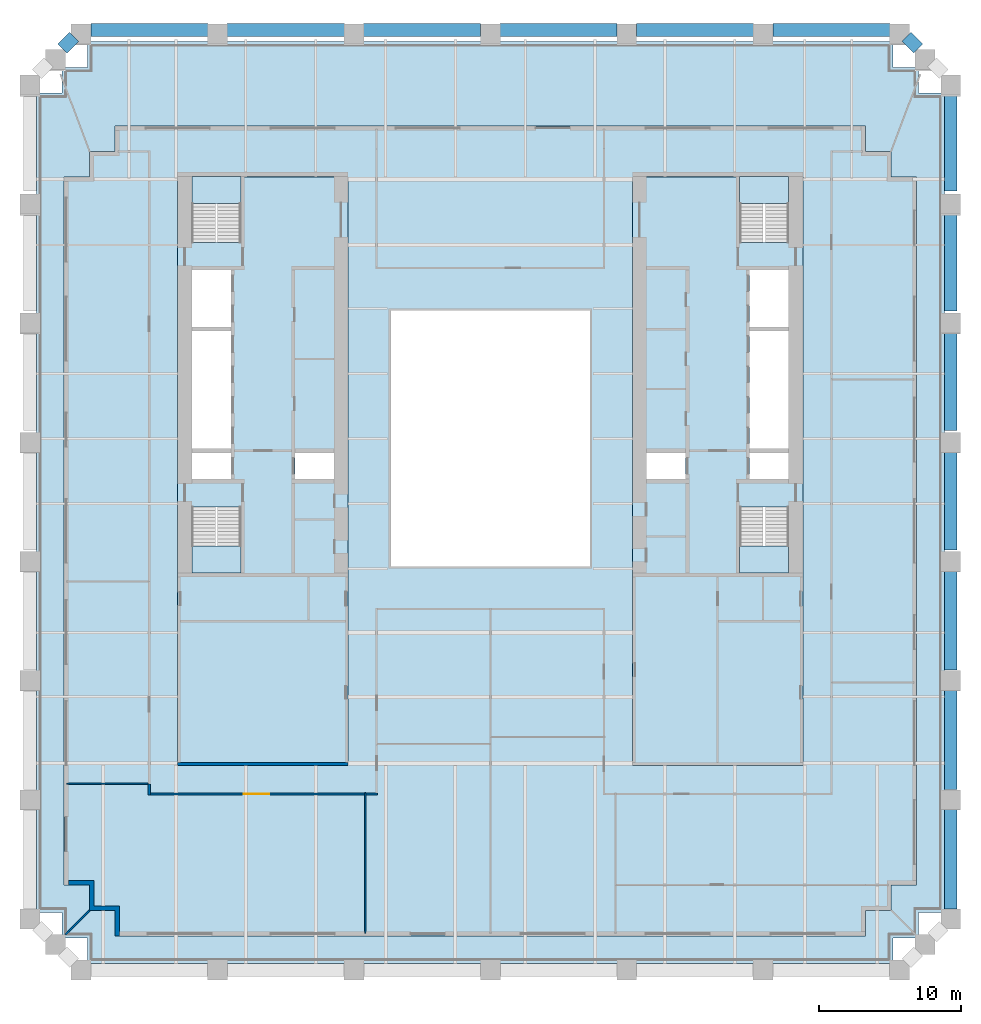
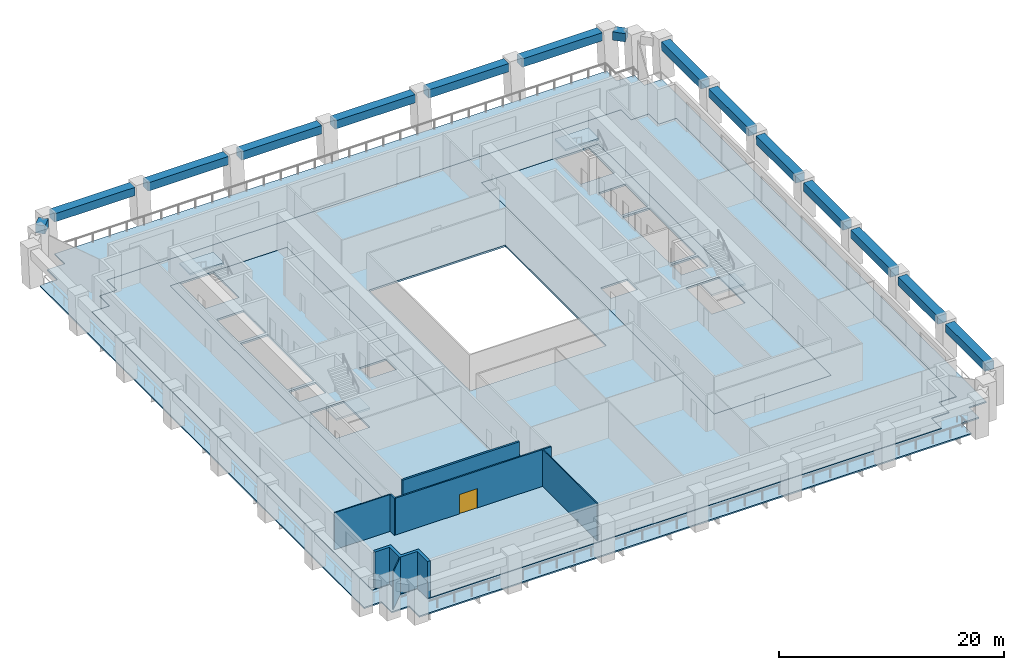
# One storey, part 2 of 8: 15 beams, 8 slabs, 8 walls, 1 door, 1 opening, 4 elements without a shape of their own.
"""IFC4 building model written with IfcOpenShell, lengths in metres."""

from ifc_helpers import new_model, si_unit, direction, frame, frame_2d, origin, origin_2d, place, context, subcontext, project, spatial, polyline, rectangle, outline, extrude, material, layer, layer_set, material_profile, profile_set, type_object, element, fill, aggregate, save


model = new_model("IFC4")

# Units and contexts
model_context = context("Model", 3, precision=1e-05, world=origin(), true_north=direction((0.0, 1.0)))
body_context = subcontext(model_context, "Body", "Model", "MODEL_VIEW")
ifc_project = project(units=[si_unit("LENGTHUNIT", "METRE"), si_unit("AREAUNIT", "SQUARE_METRE"), si_unit("VOLUMEUNIT", "CUBIC_METRE"), si_unit("PLANEANGLEUNIT", "RADIAN"), si_unit("MASSUNIT", "GRAM", prefix="KILO")], contexts=[model_context])

# Site, building, storey
site_placement = place(None, origin())
site = spatial("IfcSite", under=ifc_project, at=site_placement, CompositionType="ELEMENT")
building_placement = place(site_placement, origin())
building = spatial("IfcBuilding", under=site, at=building_placement, Name="Ogive Exchange Tower", CompositionType="ELEMENT")
storey_placement = place(building_placement, frame((0.0, 0.0, 77.39990234375)))
storey = spatial("IfcBuildingStorey", under=building, at=storey_placement, Name="L16", CompositionType="ELEMENT", Elevation=77.39990234375)

# Beams
ifc_material_1 = material(Name="Precast concrete C70/85 (limestone faced)", Category="masonry")
ifc_material_profile = material_profile(ifc_material_1, rectangle(XDim=0.89990234375, YDim=0.89990234375, at=origin_2d()), Name="900 x 900")
ifc_profile_set = profile_set([ifc_material_profile], Name="Precast concrete C70/85 (limestone faced)")
beam_type = type_object("IfcBeamType", Name="Precast spandrel 900 x 900 C70/85", PredefinedType="SPANDREL", material=ifc_profile_set)
beam_1_placement = place(storey_placement, frame((32.39990234375, -26.1201171875, 3.5), z_axis=(0.0, 1.0, 0.0), x_axis=(-1.0, 0.0, 0.0)))
element("IfcBeam", 1, at=beam_1_placement, inside=storey, type_object=beam_type, Name="Spandrel 9", PredefinedType="SPANDREL", context=body_context, shape_type="SweptSolid", body=[
    extrude(rectangle(XDim=0.89990234375, YDim=0.89990234375, at=origin_2d()), origin(), (0.0, 0.0, 1.0), 7.0634765625),
])
for number, where, z_axis, x_axis, name in (
    (2, (32.39990234375, -17.696533203125, 3.5), (0.0, 1.0, 0.0), (-1.0, 0.0, 0.0), "Spandrel 10"),
    (3, (32.39990234375, -9.273193359375, 3.5), (0.0, 1.0, 0.0), (-1.0, 0.0, 0.0), "Spandrel 11"),
    (4, (32.39990234375, -0.849853515625, 3.5), (0.0, 1.0, 0.0), (-1.0, 0.0, 0.0), "Spandrel 12"),
):
    element("IfcBeam", number, at=place(storey_placement, frame(where, z_axis=z_axis, x_axis=x_axis)), inside=storey, type_object=beam_type, Name=name, PredefinedType="SPANDREL", context=body_context, shape_type="SweptSolid", body=[
        extrude(rectangle(XDim=0.89990234375, YDim=0.89990234375, at=origin_2d()), origin(), (0.0, 0.0, 1.0), 7.063232421875),
    ])
for number, where, z_axis, x_axis, name in (
    (5, (32.39990234375, 7.573486328125, 3.5), (0.0, 1.0, 0.0), (-1.0, 0.0, 0.0), "Spandrel 13"),
    (6, (32.39990234375, 15.996826171875, 3.5), (0.0, 1.0, 0.0), (-1.0, 0.0, 0.0), "Spandrel 14"),
):
    element("IfcBeam", number, at=place(storey_placement, frame(where, z_axis=z_axis, x_axis=x_axis)), inside=storey, type_object=beam_type, Name=name, PredefinedType="SPANDREL", context=body_context, shape_type="SweptSolid", body=[
        extrude(rectangle(XDim=0.89990234375, YDim=0.89990234375, at=origin_2d()), origin(), (0.0, 0.0, 1.0), 7.0634765625),
    ])
beam_2_placement = place(storey_placement, frame((32.39990234375, 24.42041015625, 3.5), z_axis=(0.0, 1.0, 0.0), x_axis=(-1.0, 0.0, 0.0)))
element("IfcBeam", 7, at=beam_2_placement, inside=storey, type_object=beam_type, Name="Spandrel 15", PredefinedType="SPANDREL", context=body_context, shape_type="SweptSolid", body=[
    extrude(rectangle(XDim=0.89990234375, YDim=0.89990234375, at=origin_2d()), origin(), (0.0, 0.0, 1.0), 7.063232421875),
])
beam_3_placement = place(storey_placement, frame((30.112060546875, 34.451416015625, 3.5), z_axis=(-0.707002063412, 0.707211483455, 0.0), x_axis=(-0.707211483455, -0.707002063412, 0.0)))
element("IfcBeam", 8, at=beam_3_placement, inside=storey, type_object=beam_type, Name="Spandrel 17", PredefinedType="SPANDREL", context=body_context, shape_type="SweptSolid", body=[
    extrude(rectangle(XDim=0.89990234375, YDim=0.89990234375, at=origin_2d()), origin(), (0.0, 0.0, 1.0), 1.165771484375),
])
beam_4_placement = place(storey_placement, frame((28.1201171875, 35.763671875, 3.5), z_axis=(-1.0, 0.0, 0.0), x_axis=(0.0, -1.0, 0.0)))
element("IfcBeam", 9, at=beam_4_placement, inside=storey, type_object=beam_type, Name="Spandrel 18", PredefinedType="SPANDREL", context=body_context, shape_type="SweptSolid", body=[
    extrude(rectangle(XDim=0.89990234375, YDim=0.89990234375, at=origin_2d()), origin(), (0.0, 0.0, 1.0), 8.240234375),
])
for number, where, z_axis, x_axis, name in (
    (10, (18.52001953125, 35.763671875, 3.5), (-1.0, 0.0, 0.0), (0.0, -1.0, 0.0), "Spandrel 19"),
    (11, (8.919921875, 35.763671875, 3.5), (-1.0, 0.0, 0.0), (0.0, -1.0, 0.0), "Spandrel 20"),
    (12, (-0.679931640625, 35.763671875, 3.5), (-1.0, 0.0, 0.0), (0.0, -1.0, 0.0), "Spandrel 21"),
    (13, (-10.280029296875, 35.763671875, 3.5), (-1.0, 0.0, 0.0), (0.0, -1.0, 0.0), "Spandrel 22"),
):
    element("IfcBeam", number, at=place(storey_placement, frame(where, z_axis=z_axis, x_axis=x_axis)), inside=storey, type_object=beam_type, Name=name, PredefinedType="SPANDREL", context=body_context, shape_type="SweptSolid", body=[
        extrude(rectangle(XDim=0.89990234375, YDim=0.89990234375, at=origin_2d()), origin(), (0.0, 0.0, 1.0), 8.239990234375),
    ])
beam_5_placement = place(storey_placement, frame((-19.8798828125, 35.763671875, 3.5), z_axis=(-1.0, 0.0, 0.0), x_axis=(0.0, -1.0, 0.0)))
element("IfcBeam", 14, at=beam_5_placement, inside=storey, type_object=beam_type, Name="Spandrel 23", PredefinedType="SPANDREL", context=body_context, shape_type="SweptSolid", body=[
    extrude(rectangle(XDim=0.89990234375, YDim=0.89990234375, at=origin_2d()), origin(), (0.0, 0.0, 1.0), 8.240234375),
])
beam_6_placement = place(storey_placement, frame((-29.287841796875, 35.27587890625, 3.5), z_axis=(-0.707002063412, -0.707211483455, 0.0), x_axis=(0.707211483455, -0.707002063412, 0.0)))
element("IfcBeam", 15, at=beam_6_placement, inside=storey, type_object=beam_type, Name="Spandrel 24", PredefinedType="SPANDREL", context=body_context, shape_type="SweptSolid", body=[
    extrude(rectangle(XDim=0.89990234375, YDim=0.89990234375, at=origin_2d()), origin(), (0.0, 0.0, 1.0), 1.165771484375),
])

# Slabs
ifc_material_2 = material(Name="Concrete C50/60", Category="concrete")
ifc_layer_1 = layer(ifc_material_2, 0.199951171875)
ifc_layer_set_1 = layer_set([ifc_layer_1], Name="Composite floor slab 200")
slab_type_1 = type_object("IfcSlabType", Name="Composite floor slab 200", PredefinedType="FLOOR", material=ifc_layer_set_1)
slab_1_placement = place(storey_placement, frame((0.0, 0.0, -0.199951171875)))
element("IfcSlab", 16, at=slab_1_placement, inside=storey, type_object=slab_type_1, Name="Composite floor slab", PredefinedType="FLOOR", context=body_context, shape_type="SweptSolid", body=[
    extrude(outline(polyline([(-26.39990234375, -26.199951171875), (-28.199951171875, -26.199951171875), (-28.199951171875, -24.39990234375), (-30.0, -24.39990234375), (-30.0, 25.39990234375), (-28.199951171875, 25.39990234375), (-28.199951171875, 27.199951171875), (-26.39990234375, 27.199951171875), (-26.39990234375, 29.0), (26.39990234375, 29.0), (26.39990234375, 27.199951171875), (28.199951171875, 27.199951171875), (28.199951171875, 25.39990234375), (30.0, 25.39990234375), (30.0, -24.39990234375), (28.199951171875, -24.39990234375), (28.199951171875, -26.199951171875), (26.39990234375, -26.199951171875), (26.39990234375, -28.0), (-26.39990234375, -28.0), (-26.39990234375, -26.199951171875)]), holes=[polyline([(-10.0, -16.0), (-10.0, 25.39990234375), (-22.0, 25.39990234375), (-22.0, -16.0), (-10.0, -16.0)]), polyline([(10.0, -16.0), (22.0, -16.0), (22.0, 25.39990234375), (10.0, 25.39990234375), (10.0, -16.0)]), polyline([(-7.0, -2.0), (7.0, -2.0), (7.0, 16.0), (-7.0, 16.0), (-7.0, -2.0)])]), origin(), (0.0, 0.0, 1.0), 0.199951171875),
])
ifc_material_3 = material(Name="Concrete C70/85", Category="concrete")
ifc_layer_2 = layer(ifc_material_3, 0.199951171875)
ifc_layer_set_2 = layer_set([ifc_layer_2], Name="Core floor slab 200")
slab_type_2 = type_object("IfcSlabType", Name="Core floor slab 200", PredefinedType="FLOOR", material=ifc_layer_set_2)
slab_2_placement = place(storey_placement, frame((0.0, 0.0, -0.199951171875)))
element("IfcSlab", 17, at=slab_2_placement, inside=storey, type_object=slab_type_2, Name="Core floor slab", PredefinedType="FLOOR", context=body_context, shape_type="SweptSolid", body=[
    extrude(outline(polyline([(-10.0, 25.39990234375), (-10.0, -16.0), (-22.0, -16.0), (-22.0, 25.39990234375), (-21.0, 25.39990234375), (-21.0, 20.803955078125), (-17.550048828125, 20.803955078125), (-17.550048828125, 25.39990234375), (-10.0, 25.39990234375)]), holes=[polyline([(-17.550048828125, 2.196044921875), (-21.0, 2.196044921875), (-21.0, -2.449951171875), (-17.550048828125, -2.449951171875), (-17.550048828125, 2.196044921875)]), polyline([(-18.25, 5.992919921875), (-21.0, 5.992919921875), (-21.0, 4.14990234375), (-18.25, 4.14990234375), (-18.25, 5.992919921875)]), polyline([(-11.0, 5.992919921875), (-13.75, 5.992919921875), (-13.75, 4.14990234375), (-11.0, 4.14990234375), (-11.0, 5.992919921875)]), polyline([(-21.0, 14.564208984375), (-21.0, 6.29296875), (-18.25, 6.29296875), (-18.25, 14.564208984375), (-21.0, 14.564208984375)]), polyline([(-18.25, 18.85009765625), (-21.0, 18.85009765625), (-21.0, 14.8642578125), (-18.25, 14.8642578125), (-18.25, 18.85009765625)])]), origin(), (0.0, 0.0, 1.0), 0.199951171875),
])
slab_3_placement = place(storey_placement, frame((0.0, 0.0, -0.199951171875)))
element("IfcSlab", 18, at=slab_3_placement, inside=storey, type_object=slab_type_2, Name="Core floor slab", PredefinedType="FLOOR", context=body_context, shape_type="SweptSolid", body=[
    extrude(outline(polyline([(22.0, 25.39990234375), (22.0, -16.0), (10.0, -16.0), (10.0, 25.39990234375), (17.550048828125, 25.39990234375), (17.550048828125, 20.803955078125), (21.0, 20.803955078125), (21.0, 25.39990234375), (22.0, 25.39990234375)]), holes=[polyline([(21.0, 2.196044921875), (17.550048828125, 2.196044921875), (17.550048828125, -2.449951171875), (21.0, -2.449951171875), (21.0, 2.196044921875)]), polyline([(13.75, 5.992919921875), (11.0, 5.992919921875), (11.0, 4.14990234375), (13.75, 4.14990234375), (13.75, 5.992919921875)]), polyline([(21.0, 5.992919921875), (18.25, 5.992919921875), (18.25, 4.14990234375), (21.0, 4.14990234375), (21.0, 5.992919921875)]), polyline([(18.25, 14.564208984375), (18.25, 6.29296875), (21.0, 6.29296875), (21.0, 14.564208984375), (18.25, 14.564208984375)]), polyline([(21.0, 18.85009765625), (18.25, 18.85009765625), (18.25, 14.8642578125), (21.0, 14.8642578125), (21.0, 18.85009765625)])]), origin(), (0.0, 0.0, 1.0), 0.199951171875),
])
ifc_layer_3 = layer(ifc_material_2, 0.14990234375)
ifc_layer_set_3 = layer_set([ifc_layer_3], Name="Loggia deck 150")
slab_type_3 = type_object("IfcSlabType", Name="Loggia deck 150", PredefinedType="FLOOR", material=ifc_layer_set_3)
slab_4_placement = place(storey_placement, frame((0.0, 0.0, -0.199951171875)))
element("IfcSlab", 19, at=slab_4_placement, inside=storey, type_object=slab_type_3, Name="Loggia deck", PredefinedType="FLOOR", context=body_context, shape_type="SweptSolid", body=[
    extrude(outline(polyline([(-28.35009765625, -28.14990234375), (-30.14990234375, -28.14990234375), (-30.14990234375, -26.35009765625), (-31.949951171875, -26.35009765625), (-31.949951171875, 31.331787109375), (-30.14990234375, 31.331787109375), (-30.14990234375, 33.1318359375), (-28.35009765625, 33.1318359375), (-28.35009765625, 34.931884765625), (28.35009765625, 34.931884765625), (28.35009765625, 33.1318359375), (30.14990234375, 33.1318359375), (30.14990234375, 31.331787109375), (31.949951171875, 31.331787109375), (31.949951171875, -26.35009765625), (30.14990234375, -26.35009765625), (30.14990234375, -28.14990234375), (28.35009765625, -28.14990234375), (28.35009765625, -29.949951171875), (-28.35009765625, -29.949951171875), (-28.35009765625, -28.14990234375)]), holes=[polyline([(26.39990234375, -26.199951171875), (28.199951171875, -26.199951171875), (28.199951171875, -24.39990234375), (30.0, -24.39990234375), (30.0, 25.39990234375), (28.199951171875, 25.39990234375), (28.199951171875, 27.199951171875), (26.39990234375, 27.199951171875), (26.39990234375, 29.0), (-26.39990234375, 29.0), (-26.39990234375, 27.199951171875), (-28.199951171875, 27.199951171875), (-28.199951171875, 25.39990234375), (-30.0, 25.39990234375), (-30.0, -24.39990234375), (-28.199951171875, -24.39990234375), (-28.199951171875, -26.199951171875), (-26.39990234375, -26.199951171875), (-26.39990234375, -28.0), (26.39990234375, -28.0), (26.39990234375, -26.199951171875)])]), origin(), (0.0, 0.0, 1.0), 0.150146484375),
])

# Stair, slab
ifc_material_4 = material(Name="Concrete C40/50", Category="concrete")
stair_type = type_object("IfcStairType", Name="Exit stair 1650 wide", PredefinedType="HALF_TURN_STAIR", material=ifc_material_4)
stair_1_placement = place(storey_placement, origin())
stair_1 = element("IfcStair", 20, at=stair_1_placement, inside=storey, type_object=stair_type, Name="L16 exit stair ST1", PredefinedType="HALF_TURN_STAIR")
ifc_layer_4 = layer(ifc_material_4, 0.199951171875)
ifc_layer_set_4 = layer_set([ifc_layer_4], Name="Stair landing 200 slab")
slab_type_4 = type_object("IfcSlabType", Name="Stair landing 200 slab", PredefinedType="LANDING", material=ifc_layer_set_4)
slab_5_placement = place(storey_placement, frame((0.0, 0.0, 1.900146484375)))
slab_5 = element("IfcSlab", 21, at=slab_5_placement, type_object=slab_type_4, Name="ST1 landing 1", PredefinedType="LANDING", context=body_context, shape_type="SweptSolid", body=[
    extrude(outline(polyline([(-21.0, -0.550048828125), (-21.0, -2.449951171875), (-17.550048828125, -2.449951171875), (-17.550048828125, -0.550048828125), (-21.0, -0.550048828125)])), origin(), (0.0, 0.0, 1.0), 0.199951171875),
])
aggregate(stair_1, [slab_5])

stair_2_placement = place(storey_placement, origin())
stair_2 = element("IfcStair", 22, at=stair_2_placement, inside=storey, type_object=stair_type, Name="L16 exit stair ST2", PredefinedType="HALF_TURN_STAIR")
slab_6_placement = place(storey_placement, frame((0.0, 0.0, 1.900146484375)))
slab_6 = element("IfcSlab", 23, at=slab_6_placement, type_object=slab_type_4, Name="ST2 landing 1", PredefinedType="LANDING", context=body_context, shape_type="SweptSolid", body=[
    extrude(outline(polyline([(-17.550048828125, 23.550048828125), (-17.550048828125, 25.449951171875), (-21.0, 25.449951171875), (-21.0, 23.550048828125), (-17.550048828125, 23.550048828125)])), origin(), (0.0, 0.0, 1.0), 0.199951171875),
])
aggregate(stair_2, [slab_6])

stair_3_placement = place(storey_placement, origin())
stair_3 = element("IfcStair", 24, at=stair_3_placement, inside=storey, type_object=stair_type, Name="L16 exit stair ST3", PredefinedType="HALF_TURN_STAIR")
slab_7_placement = place(storey_placement, frame((0.0, 0.0, 1.900146484375)))
slab_7 = element("IfcSlab", 25, at=slab_7_placement, type_object=slab_type_4, Name="ST3 landing 1", PredefinedType="LANDING", context=body_context, shape_type="SweptSolid", body=[
    extrude(outline(polyline([(17.550048828125, -0.550048828125), (17.550048828125, -2.449951171875), (21.0, -2.449951171875), (21.0, -0.550048828125), (17.550048828125, -0.550048828125)])), origin(), (0.0, 0.0, 1.0), 0.199951171875),
])
aggregate(stair_3, [slab_7])

stair_4_placement = place(storey_placement, origin())
stair_4 = element("IfcStair", 26, at=stair_4_placement, inside=storey, type_object=stair_type, Name="L16 exit stair ST4", PredefinedType="HALF_TURN_STAIR")
slab_8_placement = place(storey_placement, frame((0.0, 0.0, 1.900146484375)))
slab_8 = element("IfcSlab", 27, at=slab_8_placement, type_object=slab_type_4, Name="ST4 landing 1", PredefinedType="LANDING", context=body_context, shape_type="SweptSolid", body=[
    extrude(outline(polyline([(21.0, 23.550048828125), (21.0, 25.449951171875), (17.550048828125, 25.449951171875), (17.550048828125, 23.550048828125), (21.0, 23.550048828125)])), origin(), (0.0, 0.0, 1.0), 0.199951171875),
])
aggregate(stair_4, [slab_8])

# Wall
ifc_material_5 = material(Name="Fire partition EI 60 150")
ifc_layer_5 = layer(ifc_material_5, 0.14990234375)
ifc_layer_set_5 = layer_set([ifc_layer_5], Name="Fire partition EI 60 150")
wall_type_1 = type_object("IfcWallType", Name="Fire partition EI 60 150", PredefinedType="PARTITIONING", material=ifc_layer_set_5)
wall_1_placement = place(storey_placement, frame((-24.0, -18.074951171875, 0.0), z_axis=(0.0, 0.0, 1.0), x_axis=(0.0, 1.0, 0.0)))
element("IfcWall", 28, at=wall_1_placement, inside=storey, type_object=wall_type_1, Name="L16-PWL-001", PredefinedType="PARTITIONING", context=body_context, shape_type="SweptSolid", body=[
    extrude(rectangle(XDim=0.784912109375, YDim=0.14990234375, at=frame_2d((0.392578125, 0.0))), origin(), (0.0, 0.0, 1.0), 4.0),
])

# Wall, opening, door
wall_2_placement = place(storey_placement, frame((-8.85009765625, -18.0, 0.0), z_axis=(0.0, 0.0, 1.0), x_axis=(-1.0, 0.0, 0.0)))
wall_2 = element("IfcWall", 29, at=wall_2_placement, inside=storey, type_object=wall_type_1, Name="L16-PWL-008", PredefinedType="PARTITIONING", context=body_context, shape_type="SweptSolid", body=[
    extrude(rectangle(XDim=15.074951171875, YDim=0.14990234375, at=frame_2d((7.53759765625, 0.0))), origin(), (0.0, 0.0, 1.0), 4.0),
])
opening_placement = place(wall_2_placement, frame((6.699951171875, 0.0, 0.0)))
opening = element("IfcOpeningElement", 30, at=opening_placement, cuts=wall_2, Name="Opening L16-I12", PredefinedType="OPENING", context=body_context, shape_type="SweptSolid", body=[
    extrude(rectangle(XDim=1.800048828125, YDim=2.10009765625, at=frame_2d((0.89990234375, 1.050048828125))), frame((0.0, 0.0849609375, 0.0), z_axis=(0.0, -1.0, 0.0), x_axis=(1.0, 0.0, 0.0)), (0.0, 0.0, 1.0), 0.169921875),
])
ifc_material_6 = material(Name="Fire door FD 30S 1800 x 2100")
door_type = type_object("IfcDoorType", Name="Fire door FD 30S 1800 x 2100", OperationType="DOUBLE_DOOR_SINGLE_SWING", PredefinedType="DOOR", material=ifc_material_6)
door_placement = place(opening_placement, origin())
door = element("IfcDoor", 31, at=door_placement, inside=storey, type_object=door_type, Name="L16-IDR-012", ObjectType="DT4", OperationType="SINGLE_SWING_LEFT", OverallHeight=2.10009765625, OverallWidth=1.800048828125, PredefinedType="DOOR", context=body_context, shape_type="SweptSolid", body=[
    extrude(rectangle(XDim=1.800048828125, YDim=2.10009765625, at=frame_2d((0.89990234375, 1.050048828125))), frame((0.0, 0.02490234375, 0.0), z_axis=(0.0, -1.0, 0.0), x_axis=(1.0, 0.0, 0.0)), (0.0, 0.0, 1.0), 0.050048828125),
])
fill(opening, door)

# Walls
wall_3_placement = place(storey_placement, frame((-7.925048828125, -18.0, 0.0), z_axis=(0.0, 0.0, 1.0), x_axis=(-1.0, 0.0, 0.0)))
element("IfcWall", 32, at=wall_3_placement, inside=storey, type_object=wall_type_1, Name="L16-PWL-010", PredefinedType="PARTITIONING", context=body_context, shape_type="SweptSolid", body=[
    extrude(rectangle(XDim=0.824951171875, YDim=0.14990234375, at=frame_2d((0.41259765625, 0.0))), origin(), (0.0, 0.0, 1.0), 4.0),
])
ifc_material_7 = material(Name="Precast concrete C40/50", Category="concrete")
ifc_layer_6 = layer(ifc_material_7, 0.300048828125)
ifc_layer_set_6 = layer_set([ifc_layer_6], Name="Limestone-faced wall 300")
wall_type_2 = type_object("IfcWallType", Name="Limestone-faced wall 300", PredefinedType="STANDARD", material=ifc_layer_set_6)
wall_4_placement = place(storey_placement, origin())
element("IfcWall", 33, at=wall_4_placement, inside=storey, type_object=wall_type_2, Name="External corner wall C4", PredefinedType="STANDARD", context=body_context, shape_type="SweptSolid", body=[
    extrude(outline(polyline([(-26.39990234375, -26.199951171875), (-28.199951171875, -26.199951171875), (-28.199951171875, -24.39990234375), (-29.699951171875, -24.39990234375), (-29.699951171875, -24.10009765625), (-27.89990234375, -24.10009765625), (-27.89990234375, -25.89990234375), (-26.10009765625, -25.89990234375), (-26.10009765625, -28.0), (-26.39990234375, -28.0), (-26.39990234375, -26.199951171875)])), origin(), (0.0, 0.0, 1.0), 4.0),
])
ifc_material_8 = material(Name="Laminated safety glass in steel frame", Category="steel")
ifc_layer_7 = layer(ifc_material_8, 0.10009765625)
ifc_layer_set_7 = layer_set([ifc_layer_7], Name="Loggia end screen 100")
wall_type_3 = type_object("IfcWallType", Name="Loggia end screen 100", PredefinedType="STANDARD", material=ifc_layer_set_7)
wall_5_placement = place(storey_placement, frame((-28.199951171875, -26.199951171875, -0.0498046875), z_axis=(0.0, 0.0, 1.0), x_axis=(-0.707106781187, -0.707106781187, 0.0)))
element("IfcWall", 34, at=wall_5_placement, inside=storey, type_object=wall_type_3, Name="Loggia end screen C4", PredefinedType="STANDARD", context=body_context, shape_type="SweptSolid", body=[
    extrude(rectangle(XDim=2.384521484375, YDim=0.10009765625, at=frame_2d((1.1923828125, 0.0))), origin(), (0.0, 0.0, 1.0), 4.0498046875),
])
ifc_material_9 = material(Name="Partition 100 gypsum")
ifc_layer_8 = layer(ifc_material_9, 0.10009765625)
ifc_layer_set_8 = layer_set([ifc_layer_8], Name="Partition 100 gypsum")
wall_type_4 = type_object("IfcWallType", Name="Partition 100 gypsum", PredefinedType="PARTITIONING", material=ifc_layer_set_8)
wall_6_placement = place(storey_placement, frame((-24.074951171875, -17.2900390625, 0.0), z_axis=(0.0, 0.0, 1.0), x_axis=(-1.0, 0.0, 0.0)))
element("IfcWall", 35, at=wall_6_placement, inside=storey, type_object=wall_type_4, Name="L16-PWL-002", PredefinedType="PARTITIONING", context=body_context, shape_type="SweptSolid", body=[
    extrude(rectangle(XDim=5.72509765625, YDim=0.10009765625, at=frame_2d((2.862548828125, 0.0))), origin(), (0.0, 0.0, 1.0), 4.0),
])
wall_7_placement = place(storey_placement, frame((-8.800048828125, -27.800048828125, 0.0), z_axis=(0.0, 0.0, 1.0), x_axis=(0.0, 1.0, 0.0)))
element("IfcWall", 36, at=wall_7_placement, inside=storey, type_object=wall_type_4, Name="L16-PWL-007", PredefinedType="PARTITIONING", context=body_context, shape_type="SweptSolid", body=[
    extrude(rectangle(XDim=9.875, YDim=0.10009765625, at=frame_2d((4.9375, 0.0))), origin(), (0.0, 0.0, 1.0), 4.0),
])
ifc_layer_9 = layer(ifc_material_3, 0.199951171875)
ifc_layer_set_9 = layer_set([ifc_layer_9], Name="RC core wall 200 C70/85")
wall_type_5 = type_object("IfcWallType", Name="RC core wall 200 C70/85", PredefinedType="SHEAR", material=ifc_layer_set_9)
wall_8_placement = place(storey_placement, frame((-22.0, -15.89990234375, 0.0), z_axis=(0.0, 0.0, 1.0), x_axis=(1.0, 0.0, 0.0)))
element("IfcWall", 37, at=wall_8_placement, inside=storey, type_object=wall_type_5, Name="W annex S end wall", PredefinedType="SHEAR", context=body_context, shape_type="SweptSolid", body=[
    extrude(rectangle(XDim=12.0, YDim=0.199951171875, at=frame_2d((6.0, 0.0))), origin(), (0.0, 0.0, 1.0), 4.0),
])

save(model, "model.ifc")
